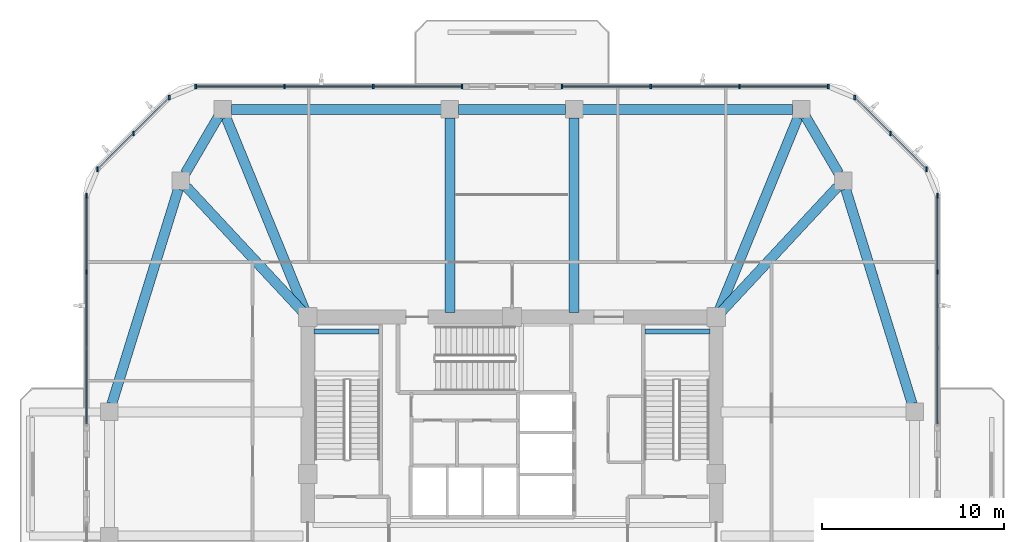
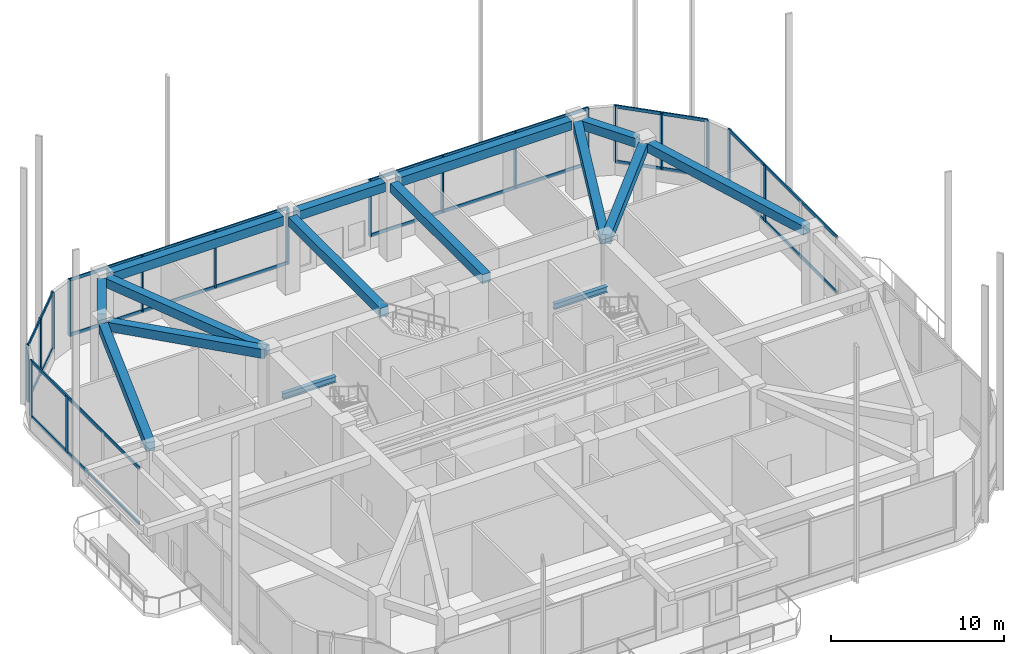
# One storey, part 4 of 12: 30 members, 15 beams, 6 elements without a shape of their own.
"""IFC4 building model written with IfcOpenShell, lengths in metres."""

import ifcopenshell
import ifcopenshell.guid

model = None  # the IFC model being written
_history = None  # IfcOwnerHistory: only IFC2X3 demands one
_inside = {}  # id of a spatial element -> (the spatial element, [elements in it])
_under = {}  # id of a project, library or spatial element -> (it, [spatial elements below it])
_declared = {}  # id of a project -> (the project, [libraries it declares])
_typed = {}  # id of a type object -> (the type object, [elements of that type])
_made_of = {}  # id of a material, layer set ... -> (it, [elements and type objects made of it])


def new_model(schema):
    """Start an empty IFC model of exactly this schema.

    Asked for "IFC4X3", IfcOpenShell would pick the latest addendum, in which some entities
    have other attributes; the version numbers below select the first issue.
    IFC2X3 requires an IfcOwnerHistory on every rooted entity: one is made here for all.
    """
    global model, _history
    if schema == "IFC4X3":
        model = ifcopenshell.file(schema_version=(4, 3, 0, 0))
    else:
        model = ifcopenshell.file(schema=schema)
    _inside.clear()
    _under.clear()
    _declared.clear()
    _typed.clear()
    _made_of.clear()
    _history = None
    if model.schema == "IFC2X3":
        org = make("IfcOrganization", Name="unknown")
        user = make(
            "IfcPersonAndOrganization",
            ThePerson=make("IfcPerson", FamilyName="unknown"),
            TheOrganization=org,
        )
        app = make(
            "IfcApplication",
            ApplicationDeveloper=org,
            Version="unknown",
            ApplicationFullName="unknown",
            ApplicationIdentifier="unknown",
        )
        _history = make(
            "IfcOwnerHistory",
            OwningUser=user,
            OwningApplication=app,
            ChangeAction="ADDED",
            CreationDate=0,
        )
    return model


def make(cls, **values):
    """One entity of the class cls with the attributes given. An attribute that is None is left unset."""
    return model.create_entity(
        cls, **{name: value for name, value in values.items() if value is not None}
    )


def rooted(cls, **values):
    """An entity with a GlobalId (a new one), such as an element, a storey or a relation."""
    return make(cls, GlobalId=ifcopenshell.guid.new(), OwnerHistory=_history, **values)


def si_unit(unit_type, name, prefix=None):
    """IfcSIUnit, for example si_unit("LENGTHUNIT", "METRE", prefix="MILLI")."""
    return make("IfcSIUnit", UnitType=unit_type, Prefix=prefix, Name=name)


def derived_unit(unit_type, elements):
    """IfcDerivedUnit: a product of units, each with its exponent."""
    return make(
        "IfcDerivedUnit",
        Elements=[
            make("IfcDerivedUnitElement", Unit=unit, Exponent=power)
            for unit, power in elements
        ],
        UnitType=unit_type,
    )


def assignment(units):
    """IfcUnitAssignment: the units of a project."""
    return None if units is None else make("IfcUnitAssignment", Units=units)


def point(xyz):
    """IfcCartesianPoint."""
    return None if xyz is None else make("IfcCartesianPoint", Coordinates=xyz)


def direction(xyz):
    """IfcDirection."""
    return None if xyz is None else make("IfcDirection", DirectionRatios=xyz)


def frame(location, z_axis=None, x_axis=None):
    """IfcAxis2Placement3D, a coordinate frame: its origin and axes. An axis left out is left unset."""
    return make(
        "IfcAxis2Placement3D",
        Location=point(location),
        Axis=direction(z_axis),
        RefDirection=direction(x_axis),
    )


def frame_2d(location, x_axis=None):
    """IfcAxis2Placement2D, a coordinate frame in the plane: its origin and x axis."""
    return make(
        "IfcAxis2Placement2D", Location=point(location), RefDirection=direction(x_axis)
    )


def origin():
    """The frame at (0, 0, 0) with its axes left unset."""
    return frame((0.0, 0.0, 0.0))


def origin_2d():
    """The frame at (0, 0) in the plane with its x axis left unset."""
    return frame_2d((0.0, 0.0))


def place(relative_to, where):
    """IfcLocalPlacement: puts the frame where relative to a parent placement (None: the world)."""
    return make(
        "IfcLocalPlacement", PlacementRelTo=relative_to, RelativePlacement=where
    )


def context(
    kind, dimensions, precision=None, world=None, true_north=None, identifier=None
):
    """IfcGeometricRepresentationContext, for example the 3D "Model" context."""
    return make(
        "IfcGeometricRepresentationContext",
        ContextIdentifier=identifier,
        ContextType=kind,
        CoordinateSpaceDimension=dimensions,
        Precision=precision,
        WorldCoordinateSystem=world,
        TrueNorth=true_north,
    )


def subcontext(parent, identifier, kind, view, scale=None):
    """IfcGeometricRepresentationSubContext, for example "Body" below "Model"."""
    return make(
        "IfcGeometricRepresentationSubContext",
        ContextIdentifier=identifier,
        ContextType=kind,
        ParentContext=parent,
        TargetScale=scale,
        TargetView=view,
    )


def project(units=None, contexts=None):
    """IfcProject with its units and contexts."""
    return rooted(
        "IfcProject",
        Name="project",
        RepresentationContexts=contexts,
        UnitsInContext=assignment(units),
    )


def spatial(cls, under=None, at=None, **own):
    """A site, building, storey or space (cls), placed at a placement, below another one or the project."""
    s = rooted(cls, ObjectPlacement=at, **own)
    if under is not None:
        _under.setdefault(under.id(), (under, []))[1].append(s)
    return s


def profile(cls, at=None, kind="AREA", **sizes):
    """A parametric profile (cls). Its sizes go by their IFC names, for example OverallWidth=200.0."""
    return make(cls, ProfileType=kind, Position=at, **sizes)


def rectangle(**sizes):
    """IfcRectangleProfileDef."""
    return profile("IfcRectangleProfileDef", **sizes)


def i_section(**sizes):
    """IfcIShapeProfileDef."""
    return profile("IfcIShapeProfileDef", **sizes)


def extrude(swept, where, along, depth):
    """IfcExtrudedAreaSolid: the profile swept, set in the frame where, extruded along a direction by depth."""
    return make(
        "IfcExtrudedAreaSolid",
        SweptArea=swept,
        Position=where,
        ExtrudedDirection=direction(along),
        Depth=depth,
    )


def shape(context_of_items, identifier, shape_type, items):
    """IfcShapeRepresentation: the items that make up one representation, for example the "Body"."""
    return make(
        "IfcShapeRepresentation",
        ContextOfItems=context_of_items,
        RepresentationIdentifier=identifier,
        RepresentationType=shape_type,
        Items=items,
    )


def material(Name=None, Category=None):
    """IfcMaterial."""
    return make("IfcMaterial", Name=Name, Category=Category)


def material_profile(
    of_material, cross_section, Name=None, Category=None, Priority=None
):
    """IfcMaterialProfile: a cross section and its material."""
    return make(
        "IfcMaterialProfile",
        Name=Name,
        Material=of_material,
        Profile=cross_section,
        Priority=Priority,
        Category=Category,
    )


def profile_set(profiles, Name=None, composite=None):
    """IfcMaterialProfileSet."""
    return make(
        "IfcMaterialProfileSet",
        Name=Name,
        MaterialProfiles=profiles,
        CompositeProfile=composite,
    )


def made_of(thing, what):
    """Note that an element or type object is made of a material, layer set ...; save() writes the relation."""
    if what is not None:
        _made_of.setdefault(what.id(), (what, []))[1].append(thing)
    return thing


def type_object(cls, material=None, **own):
    """A type object (cls), such as IfcWallType, which elements share."""
    return made_of(rooted(cls, **own), material)


def element(
    cls,
    number,
    at=None,
    inside=None,
    cuts=None,
    type_object=None,
    material=None,
    context=None,
    identifier="Body",
    shape_type=None,
    held_by="IfcProductDefinitionShape",
    body=None,
    shapes=None,
    **own,
):
    """One element of the class cls, such as IfcWall. Its Tag is "e" and its number.

    at: its placement. inside: the storey or other place that contains it. cuts: it is an
    opening in that element (IfcRelVoidsElement). A single representation is given by context,
    identifier, shape_type and body (its items); several are given by shapes. held_by: the class
    of the entity that holds the representations. save() writes the other relations.
    """
    e = rooted(cls, Tag="e%d" % number, ObjectPlacement=at, **own)
    if body is not None:
        shapes = [shape(context, identifier, shape_type, body)]
    if shapes is not None:
        e.Representation = make(held_by, Representations=shapes)
    if inside is not None:
        _inside.setdefault(inside.id(), (inside, []))[1].append(e)
    if cuts is not None:
        rooted(
            "IfcRelVoidsElement", RelatingBuildingElement=cuts, RelatedOpeningElement=e
        )
    if type_object is not None:
        _typed.setdefault(type_object.id(), (type_object, []))[1].append(e)
    return made_of(e, material)


def aggregate(whole, parts):
    """IfcRelAggregates: a whole, such as a stair, and the parts it consists of."""
    return rooted("IfcRelAggregates", RelatingObject=whole, RelatedObjects=parts)


def save(model, path):
    """Write the relations noted so far, then the file.

    IfcRelAggregates (storeys below a building ...), IfcRelContainedInSpatialStructure (elements
    in a storey), IfcRelDefinesByType, IfcRelAssociatesMaterial and IfcRelDeclares: one each for
    every whole, place, type object, material and project.
    """
    for whole, parts in _under.values():
        aggregate(whole, parts)
    for where, things in _inside.values():
        rooted(
            "IfcRelContainedInSpatialStructure",
            RelatedElements=things,
            RelatingStructure=where,
        )
    for kind, things in _typed.values():
        rooted("IfcRelDefinesByType", RelatedObjects=things, RelatingType=kind)
    for what, things in _made_of.values():
        rooted("IfcRelAssociatesMaterial", RelatedObjects=things, RelatingMaterial=what)
    for by, libraries in _declared.values():
        rooted("IfcRelDeclares", RelatingContext=by, RelatedDefinitions=libraries)
    model.write(path)


model = new_model("IFC4")

# Units and contexts
model_context = context("Model", 3, precision=1e-05, world=origin(), true_north=direction((0.0, 1.0)))
body_context = subcontext(model_context, "Body", "Model", "MODEL_VIEW")
ifc_project = project(units=[si_unit("LENGTHUNIT", "METRE"), si_unit("AREAUNIT", "SQUARE_METRE"), si_unit("VOLUMEUNIT", "CUBIC_METRE"), si_unit("PLANEANGLEUNIT", "RADIAN"), si_unit("MASSUNIT", "GRAM", prefix="KILO"), derived_unit("THERMALTRANSMITTANCEUNIT", [(si_unit("POWERUNIT", "WATT"), 1), (si_unit("LENGTHUNIT", "METRE"), -2), (si_unit("THERMODYNAMICTEMPERATUREUNIT", "KELVIN"), -1)])], contexts=[model_context])

# Site, building, storey
site_placement = place(None, origin())
site = spatial("IfcSite", under=ifc_project, at=site_placement, CompositionType="ELEMENT")
building_placement = place(site_placement, origin())
building = spatial("IfcBuilding", under=site, at=building_placement, Name="Koralith Skygarden Medical Center", CompositionType="ELEMENT")
storey_placement = place(building_placement, frame((0.0, 0.0, 129.06005859375)))
storey = spatial("IfcBuildingStorey", under=building, at=storey_placement, Name="L33", CompositionType="ELEMENT", Elevation=129.06005859375)

# Curtain wall, members
ifc_material_1 = material(Name="Clear Laminated Glass", Category="glass")
curtain_wall_type = type_object("IfcCurtainWallType", Name="CW-7 Sky-Garden & Pool Conservatory Wall", PredefinedType="NOTDEFINED", material=ifc_material_1)
curtain_wall_1_placement = place(storey_placement, origin())
curtain_wall_1 = element("IfcCurtainWall", 1, at=curtain_wall_1_placement, inside=storey, type_object=curtain_wall_type, Name="Curtain Wall CW-L33-E-R", PredefinedType="NOTDEFINED")
ifc_material_2 = material(Name="Aluminium 6063-T6", Category="aluminium")
ifc_material_profile_1 = material_profile(ifc_material_2, rectangle(XDim=0.0859375, YDim=0.25, at=origin_2d()), Name="MUL86X250")
ifc_profile_set_1 = profile_set([ifc_material_profile_1], Name="Aluminium 6063-T6")
member_type_1 = type_object("IfcMemberType", Name="CW-7 Extruded Mullion 86x250", PredefinedType="MULLION", material=ifc_profile_set_1)
member_1_placement = place(storey_placement, frame((60.303955078125, 36.97607421875, 0.849853515625), z_axis=(0.0, 0.0, 1.0), x_axis=(1.0, 0.0, 0.0)))
member_1 = element("IfcMember", 2, at=member_1_placement, type_object=member_type_1, Name="CW-L33-E-R Mullion 3", PredefinedType="MULLION", context=body_context, shape_type="SweptSolid", body=[
    extrude(rectangle(XDim=0.0859375, YDim=0.25, at=origin_2d()), origin(), (0.0, 0.0, 1.0), 3.97998046875),
])
member_2_placement = place(storey_placement, frame((60.303955078125, 41.14501953125, 0.849853515625), z_axis=(0.0, 0.0, 1.0), x_axis=(1.0, 0.0, 0.0)))
member_2 = element("IfcMember", 3, at=member_2_placement, type_object=member_type_1, Name="CW-L33-E-R Mullion 4", PredefinedType="MULLION", context=body_context, shape_type="SweptSolid", body=[
    extrude(rectangle(XDim=0.0859375, YDim=0.25, at=origin_2d()), origin(), (0.0, 0.0, 1.0), 3.97998046875),
])

curtain_wall_2_placement = place(storey_placement, origin())
curtain_wall_2 = element("IfcCurtainWall", 4, at=curtain_wall_2_placement, inside=storey, type_object=curtain_wall_type, Name="Curtain Wall CW-L33-NE", PredefinedType="NOTDEFINED")
member_3_placement = place(storey_placement, frame((59.702880859375, 42.595947265625, 0.849853515625), z_axis=(0.0, 0.0, 1.0), x_axis=(1.0, 0.0, 0.0)))
member_3 = element("IfcMember", 5, at=member_3_placement, type_object=member_type_1, Name="CW-L33-NE Mullion 1", PredefinedType="MULLION", context=body_context, shape_type="SweptSolid", body=[
    extrude(rectangle(XDim=0.0859375, YDim=0.25, at=origin_2d()), origin(), (0.0, 0.0, 1.0), 3.97998046875),
])
member_4_placement = place(storey_placement, frame((57.741943359375, 44.556884765625, 0.849853515625), z_axis=(0.0, 0.0, 1.0), x_axis=(1.0, 0.0, 0.0)))
member_4 = element("IfcMember", 6, at=member_4_placement, type_object=member_type_1, Name="CW-L33-NE Mullion 2", PredefinedType="MULLION", context=body_context, shape_type="SweptSolid", body=[
    extrude(rectangle(XDim=0.0859375, YDim=0.25, at=origin_2d()), origin(), (0.0, 0.0, 1.0), 3.97998046875),
])
member_5_placement = place(storey_placement, frame((55.780029296875, 46.51904296875, 0.849853515625), z_axis=(0.0, 0.0, 1.0), x_axis=(1.0, 0.0, 0.0)))
member_5 = element("IfcMember", 7, at=member_5_placement, type_object=member_type_1, Name="CW-L33-NE Mullion 3", PredefinedType="MULLION", context=body_context, shape_type="SweptSolid", body=[
    extrude(rectangle(XDim=0.0859375, YDim=0.25, at=origin_2d()), origin(), (0.0, 0.0, 1.0), 3.97998046875),
])

curtain_wall_3_placement = place(storey_placement, origin())
curtain_wall_3 = element("IfcCurtainWall", 8, at=curtain_wall_3_placement, inside=storey, type_object=curtain_wall_type, Name="Curtain Wall CW-L33-N-L", PredefinedType="NOTDEFINED")
member_6_placement = place(storey_placement, frame((54.3291015625, 47.1201171875, 0.849853515625), z_axis=(0.0, 0.0, 1.0), x_axis=(1.0, 0.0, 0.0)))
member_6 = element("IfcMember", 9, at=member_6_placement, type_object=member_type_1, Name="CW-L33-N-L Mullion 1", PredefinedType="MULLION", context=body_context, shape_type="SweptSolid", body=[
    extrude(rectangle(XDim=0.0859375, YDim=0.25, at=origin_2d()), origin(), (0.0, 0.0, 1.0), 3.97998046875),
])
member_7_placement = place(storey_placement, frame((49.466064453125, 47.1201171875, 0.849853515625), z_axis=(0.0, 0.0, 1.0), x_axis=(1.0, 0.0, 0.0)))
member_7 = element("IfcMember", 10, at=member_7_placement, type_object=member_type_1, Name="CW-L33-N-L Mullion 2", PredefinedType="MULLION", context=body_context, shape_type="SweptSolid", body=[
    extrude(rectangle(XDim=0.0859375, YDim=0.25, at=origin_2d()), origin(), (0.0, 0.0, 1.0), 3.97998046875),
])
member_8_placement = place(storey_placement, frame((44.60400390625, 47.1201171875, 0.849853515625), z_axis=(0.0, 0.0, 1.0), x_axis=(1.0, 0.0, 0.0)))
member_8 = element("IfcMember", 11, at=member_8_placement, type_object=member_type_1, Name="CW-L33-N-L Mullion 3", PredefinedType="MULLION", context=body_context, shape_type="SweptSolid", body=[
    extrude(rectangle(XDim=0.0859375, YDim=0.25, at=origin_2d()), origin(), (0.0, 0.0, 1.0), 3.97998046875),
])
member_9_placement = place(storey_placement, frame((39.740966796875, 47.1201171875, 0.849853515625), z_axis=(0.0, 0.0, 1.0), x_axis=(1.0, 0.0, 0.0)))
member_9 = element("IfcMember", 12, at=member_9_placement, type_object=member_type_1, Name="CW-L33-N-L Mullion 4", PredefinedType="MULLION", context=body_context, shape_type="SweptSolid", body=[
    extrude(rectangle(XDim=0.0859375, YDim=0.25, at=origin_2d()), origin(), (0.0, 0.0, 1.0), 3.97998046875),
])

curtain_wall_4_placement = place(storey_placement, origin())
curtain_wall_4 = element("IfcCurtainWall", 13, at=curtain_wall_4_placement, inside=storey, type_object=curtain_wall_type, Name="Curtain Wall CW-L33-N-R", PredefinedType="NOTDEFINED")
member_10_placement = place(storey_placement, frame((34.260986328125, 47.1201171875, 0.849853515625), z_axis=(0.0, 0.0, 1.0), x_axis=(1.0, 0.0, 0.0)))
member_10 = element("IfcMember", 14, at=member_10_placement, type_object=member_type_1, Name="CW-L33-N-R Mullion 1", PredefinedType="MULLION", context=body_context, shape_type="SweptSolid", body=[
    extrude(rectangle(XDim=0.0859375, YDim=0.25, at=origin_2d()), origin(), (0.0, 0.0, 1.0), 3.97998046875),
])
member_11_placement = place(storey_placement, frame((29.39794921875, 47.1201171875, 0.849853515625), z_axis=(0.0, 0.0, 1.0), x_axis=(1.0, 0.0, 0.0)))
member_11 = element("IfcMember", 15, at=member_11_placement, type_object=member_type_1, Name="CW-L33-N-R Mullion 2", PredefinedType="MULLION", context=body_context, shape_type="SweptSolid", body=[
    extrude(rectangle(XDim=0.0859375, YDim=0.25, at=origin_2d()), origin(), (0.0, 0.0, 1.0), 3.97998046875),
])
member_12_placement = place(storey_placement, frame((24.533935546875, 47.1201171875, 0.849853515625), z_axis=(0.0, 0.0, 1.0), x_axis=(1.0, 0.0, 0.0)))
member_12 = element("IfcMember", 16, at=member_12_placement, type_object=member_type_1, Name="CW-L33-N-R Mullion 3", PredefinedType="MULLION", context=body_context, shape_type="SweptSolid", body=[
    extrude(rectangle(XDim=0.0859375, YDim=0.25, at=origin_2d()), origin(), (0.0, 0.0, 1.0), 3.97998046875),
])
member_13_placement = place(storey_placement, frame((19.6708984375, 47.1201171875, 0.849853515625), z_axis=(0.0, 0.0, 1.0), x_axis=(1.0, 0.0, 0.0)))
member_13 = element("IfcMember", 17, at=member_13_placement, type_object=member_type_1, Name="CW-L33-N-R Mullion 4", PredefinedType="MULLION", context=body_context, shape_type="SweptSolid", body=[
    extrude(rectangle(XDim=0.0859375, YDim=0.25, at=origin_2d()), origin(), (0.0, 0.0, 1.0), 3.97998046875),
])

curtain_wall_5_placement = place(storey_placement, origin())
curtain_wall_5 = element("IfcCurtainWall", 18, at=curtain_wall_5_placement, inside=storey, type_object=curtain_wall_type, Name="Curtain Wall CW-L33-NW", PredefinedType="NOTDEFINED")
member_14_placement = place(storey_placement, frame((18.219970703125, 46.51904296875, 0.849853515625), z_axis=(0.0, 0.0, 1.0), x_axis=(1.0, 0.0, 0.0)))
member_14 = element("IfcMember", 19, at=member_14_placement, type_object=member_type_1, Name="CW-L33-NW Mullion 1", PredefinedType="MULLION", context=body_context, shape_type="SweptSolid", body=[
    extrude(rectangle(XDim=0.0859375, YDim=0.25, at=origin_2d()), origin(), (0.0, 0.0, 1.0), 3.97998046875),
])
member_15_placement = place(storey_placement, frame((16.258056640625, 44.556884765625, 0.849853515625), z_axis=(0.0, 0.0, 1.0), x_axis=(1.0, 0.0, 0.0)))
member_15 = element("IfcMember", 20, at=member_15_placement, type_object=member_type_1, Name="CW-L33-NW Mullion 2", PredefinedType="MULLION", context=body_context, shape_type="SweptSolid", body=[
    extrude(rectangle(XDim=0.0859375, YDim=0.25, at=origin_2d()), origin(), (0.0, 0.0, 1.0), 3.97998046875),
])
member_16_placement = place(storey_placement, frame((14.297119140625, 42.595947265625, 0.849853515625), z_axis=(0.0, 0.0, 1.0), x_axis=(1.0, 0.0, 0.0)))
member_16 = element("IfcMember", 21, at=member_16_placement, type_object=member_type_1, Name="CW-L33-NW Mullion 3", PredefinedType="MULLION", context=body_context, shape_type="SweptSolid", body=[
    extrude(rectangle(XDim=0.0859375, YDim=0.25, at=origin_2d()), origin(), (0.0, 0.0, 1.0), 3.97998046875),
])

curtain_wall_6_placement = place(storey_placement, origin())
curtain_wall_6 = element("IfcCurtainWall", 22, at=curtain_wall_6_placement, inside=storey, type_object=curtain_wall_type, Name="Curtain Wall CW-L33-W-L", PredefinedType="NOTDEFINED")
member_17_placement = place(storey_placement, frame((13.696044921875, 41.14501953125, 0.849853515625), z_axis=(0.0, 0.0, 1.0), x_axis=(1.0, 0.0, 0.0)))
member_17 = element("IfcMember", 23, at=member_17_placement, type_object=member_type_1, Name="CW-L33-W-L Mullion 1", PredefinedType="MULLION", context=body_context, shape_type="SweptSolid", body=[
    extrude(rectangle(XDim=0.0859375, YDim=0.25, at=origin_2d()), origin(), (0.0, 0.0, 1.0), 3.97998046875),
])
member_18_placement = place(storey_placement, frame((13.696044921875, 36.97705078125, 0.849853515625), z_axis=(0.0, 0.0, 1.0), x_axis=(1.0, 0.0, 0.0)))
member_18 = element("IfcMember", 24, at=member_18_placement, type_object=member_type_1, Name="CW-L33-W-L Mullion 2", PredefinedType="MULLION", context=body_context, shape_type="SweptSolid", body=[
    extrude(rectangle(XDim=0.0859375, YDim=0.25, at=origin_2d()), origin(), (0.0, 0.0, 1.0), 3.97998046875),
])

# Member
ifc_material_profile_2 = material_profile(ifc_material_2, rectangle(XDim=0.0810546875, YDim=0.22509765625, at=origin_2d()), Name="TRN81X225")
ifc_profile_set_2 = profile_set([ifc_material_profile_2], Name="Aluminium 6063-T6")
member_type_2 = type_object("IfcMemberType", Name="CW-7 Thermal Transom 81x225", PredefinedType="USERDEFINED", material=ifc_profile_set_2)
member_19_placement = place(storey_placement, frame((60.303955078125, 28.638916015625, 0.89990234375), z_axis=(0.0, 1.0, 0.0), x_axis=(-1.0, 0.0, 0.0)))
member_19 = element("IfcMember", 25, at=member_19_placement, type_object=member_type_2, Name="CW-L33-E-R Transom 1", ObjectType="TRANSOM", PredefinedType="USERDEFINED", context=body_context, shape_type="SweptSolid", body=[
    extrude(rectangle(XDim=0.0810546875, YDim=0.22509765625, at=origin_2d()), origin(), (0.0, 0.0, 1.0), 12.506103515625),
])

member_20_placement = place(storey_placement, frame((60.303955078125, 28.638916015625, 4.780029296875), z_axis=(0.0, 1.0, 0.0), x_axis=(-1.0, 0.0, 0.0)))
member_20 = element("IfcMember", 26, at=member_20_placement, type_object=member_type_2, Name="CW-L33-E-R Transom 2", ObjectType="TRANSOM", PredefinedType="USERDEFINED", context=body_context, shape_type="SweptSolid", body=[
    extrude(rectangle(XDim=0.0810546875, YDim=0.22509765625, at=origin_2d()), origin(), (0.0, 0.0, 1.0), 12.506103515625),
])

aggregate(curtain_wall_1, [member_1, member_2, member_19, member_20])

member_21_placement = place(storey_placement, frame((59.702880859375, 42.595947265625, 0.89990234375), z_axis=(-0.707084777957, 0.707128783731, 0.0), x_axis=(-0.707128783731, -0.707084777957, 0.0)))
member_21 = element("IfcMember", 27, at=member_21_placement, type_object=member_type_2, Name="CW-L33-NE Transom 1", ObjectType="TRANSOM", PredefinedType="USERDEFINED", context=body_context, shape_type="SweptSolid", body=[
    extrude(rectangle(XDim=0.0810546875, YDim=0.22509765625, at=origin_2d()), origin(), (0.0, 0.0, 1.0), 5.5478515625),
])

member_22_placement = place(storey_placement, frame((59.702880859375, 42.595947265625, 4.780029296875), z_axis=(-0.707084777957, 0.707128783731, 0.0), x_axis=(-0.707128783731, -0.707084777957, 0.0)))
member_22 = element("IfcMember", 28, at=member_22_placement, type_object=member_type_2, Name="CW-L33-NE Transom 2", ObjectType="TRANSOM", PredefinedType="USERDEFINED", context=body_context, shape_type="SweptSolid", body=[
    extrude(rectangle(XDim=0.0810546875, YDim=0.22509765625, at=origin_2d()), origin(), (0.0, 0.0, 1.0), 5.5478515625),
])

aggregate(curtain_wall_2, [member_3, member_4, member_5, member_21, member_22])

member_23_placement = place(storey_placement, frame((54.3291015625, 47.1201171875, 0.89990234375), z_axis=(-1.0, 0.0, 0.0), x_axis=(0.0, -1.0, 0.0)))
member_23 = element("IfcMember", 29, at=member_23_placement, type_object=member_type_2, Name="CW-L33-N-L Transom 1", ObjectType="TRANSOM", PredefinedType="USERDEFINED", context=body_context, shape_type="SweptSolid", body=[
    extrude(rectangle(XDim=0.0810546875, YDim=0.22509765625, at=origin_2d()), origin(), (0.0, 0.0, 1.0), 14.588134765625),
])

member_24_placement = place(storey_placement, frame((54.3291015625, 47.1201171875, 4.780029296875), z_axis=(-1.0, 0.0, 0.0), x_axis=(0.0, -1.0, 0.0)))
member_24 = element("IfcMember", 30, at=member_24_placement, type_object=member_type_2, Name="CW-L33-N-L Transom 2", ObjectType="TRANSOM", PredefinedType="USERDEFINED", context=body_context, shape_type="SweptSolid", body=[
    extrude(rectangle(XDim=0.0810546875, YDim=0.22509765625, at=origin_2d()), origin(), (0.0, 0.0, 1.0), 14.588134765625),
])

aggregate(curtain_wall_3, [member_6, member_7, member_8, member_9, member_23, member_24])

member_25_placement = place(storey_placement, frame((34.260986328125, 47.1201171875, 0.89990234375), z_axis=(-1.0, 0.0, 0.0), x_axis=(0.0, -1.0, 0.0)))
member_25 = element("IfcMember", 31, at=member_25_placement, type_object=member_type_2, Name="CW-L33-N-R Transom 1", ObjectType="TRANSOM", PredefinedType="USERDEFINED", context=body_context, shape_type="SweptSolid", body=[
    extrude(rectangle(XDim=0.0810546875, YDim=0.22509765625, at=origin_2d()), origin(), (0.0, 0.0, 1.0), 14.590087890625),
])

member_26_placement = place(storey_placement, frame((34.260986328125, 47.1201171875, 4.780029296875), z_axis=(-1.0, 0.0, 0.0), x_axis=(0.0, -1.0, 0.0)))
member_26 = element("IfcMember", 32, at=member_26_placement, type_object=member_type_2, Name="CW-L33-N-R Transom 2", ObjectType="TRANSOM", PredefinedType="USERDEFINED", context=body_context, shape_type="SweptSolid", body=[
    extrude(rectangle(XDim=0.0810546875, YDim=0.22509765625, at=origin_2d()), origin(), (0.0, 0.0, 1.0), 14.590087890625),
])

aggregate(curtain_wall_4, [member_10, member_11, member_12, member_13, member_25, member_26])

member_27_placement = place(storey_placement, frame((18.219970703125, 46.51904296875, 0.89990234375), z_axis=(-0.707084777957, -0.707128783731, 0.0), x_axis=(0.707128783731, -0.707084777957, 0.0)))
member_27 = element("IfcMember", 33, at=member_27_placement, type_object=member_type_2, Name="CW-L33-NW Transom 1", ObjectType="TRANSOM", PredefinedType="USERDEFINED", context=body_context, shape_type="SweptSolid", body=[
    extrude(rectangle(XDim=0.0810546875, YDim=0.22509765625, at=origin_2d()), origin(), (0.0, 0.0, 1.0), 5.5478515625),
])

member_28_placement = place(storey_placement, frame((18.219970703125, 46.51904296875, 4.780029296875), z_axis=(-0.707084777957, -0.707128783731, 0.0), x_axis=(0.707128783731, -0.707084777957, 0.0)))
member_28 = element("IfcMember", 34, at=member_28_placement, type_object=member_type_2, Name="CW-L33-NW Transom 2", ObjectType="TRANSOM", PredefinedType="USERDEFINED", context=body_context, shape_type="SweptSolid", body=[
    extrude(rectangle(XDim=0.0810546875, YDim=0.22509765625, at=origin_2d()), origin(), (0.0, 0.0, 1.0), 5.5478515625),
])

aggregate(curtain_wall_5, [member_14, member_15, member_16, member_27, member_28])

member_29_placement = place(storey_placement, frame((13.696044921875, 41.14501953125, 0.89990234375), z_axis=(0.0, -1.0, 0.0), x_axis=(1.0, 0.0, 0.0)))
member_29 = element("IfcMember", 35, at=member_29_placement, type_object=member_type_2, Name="CW-L33-W-L Transom 1", ObjectType="TRANSOM", PredefinedType="USERDEFINED", context=body_context, shape_type="SweptSolid", body=[
    extrude(rectangle(XDim=0.0810546875, YDim=0.22509765625, at=origin_2d()), origin(), (0.0, 0.0, 1.0), 12.50390625),
])

member_30_placement = place(storey_placement, frame((13.696044921875, 41.14501953125, 4.780029296875), z_axis=(0.0, -1.0, 0.0), x_axis=(1.0, 0.0, 0.0)))
member_30 = element("IfcMember", 36, at=member_30_placement, type_object=member_type_2, Name="CW-L33-W-L Transom 2", ObjectType="TRANSOM", PredefinedType="USERDEFINED", context=body_context, shape_type="SweptSolid", body=[
    extrude(rectangle(XDim=0.0810546875, YDim=0.22509765625, at=origin_2d()), origin(), (0.0, 0.0, 1.0), 12.50390625),
])

aggregate(curtain_wall_6, [member_17, member_18, member_29, member_30])

# Beams
ifc_material_3 = material(Name="Steel ASTM A992 Grade 50", Category="steel")
ifc_material_profile_3 = material_profile(ifc_material_3, i_section(OverallWidth=0.260009765625, OverallDepth=0.4150390625, WebThickness=0.010009765625, FlangeThickness=0.016845703125, at=origin_2d()), Name="W16X67")
ifc_profile_set_3 = profile_set([ifc_material_profile_3], Name="Steel ASTM A992 Grade 50")
beam_type_1 = type_object("IfcBeamType", Name="Clinical Floor Joist W16X67", PredefinedType="JOIST", material=ifc_profile_set_3)
for number, where, z_axis, x_axis, name in (
    (37, (26.155029296875, 33.699951171875, 2.471923828125), (1.0, 0.0, 0.0), (0.0, 1.0, 0.0), "L33 Stair ST1 Half-Landing Support Beam 1B"),
    (38, (44.280029296875, 33.699951171875, 2.471923828125), (1.0, 0.0, 0.0), (0.0, 1.0, 0.0), "L33 Stair ST2 Half-Landing Support Beam 1B"),
):
    element("IfcBeam", number, at=place(storey_placement, frame(where, z_axis=z_axis, x_axis=x_axis)), inside=storey, type_object=beam_type_1, Name=name, PredefinedType="JOIST", context=body_context, shape_type="SweptSolid", body=[
        extrude(i_section(OverallWidth=0.260009765625, OverallDepth=0.4150390625, WebThickness=0.010009765625, FlangeThickness=0.016845703125, at=origin_2d()), origin(), (0.0, 0.0, 1.0), 3.56494140625),
    ])
ifc_material_4 = material(Name="Concrete C45/55", Category="concrete")
ifc_material_profile_4 = material_profile(ifc_material_4, rectangle(XDim=0.550048828125, YDim=0.639892578125, at=origin_2d()), Name="RCB550X640")
ifc_profile_set_4 = profile_set([ifc_material_profile_4], Name="Concrete C45/55")
beam_type_2 = type_object("IfcBeamType", Name="Radial Collector Beam RCB550X640", PredefinedType="BEAM", material=ifc_profile_set_4)
beam_1_placement = place(storey_placement, frame((48.3701171875, 34.68310546875, 5.159912109375), z_axis=(0.681369011591, 0.731940072713, 0.0), x_axis=(-0.731940072713, 0.681369011591, 0.0)))
element("IfcBeam", 39, at=beam_1_placement, inside=storey, type_object=beam_type_2, Name="L33 Radial Collector Beam RB-10", PredefinedType="BEAM", context=body_context, shape_type="SweptSolid", body=[
    extrude(rectangle(XDim=0.550048828125, YDim=0.639892578125, at=origin_2d()), origin(), (0.0, 0.0, 1.0), 9.471923828125),
])
beam_2_placement = place(storey_placement, frame((48.294921875, 34.73095703125, 5.159912109375), z_axis=(0.378344544364, 0.92566484526, 0.0), x_axis=(-0.92566484526, 0.378344544364, 0.0)))
element("IfcBeam", 40, at=beam_2_placement, inside=storey, type_object=beam_type_2, Name="L33 Radial Collector Beam RB-11", PredefinedType="BEAM", context=body_context, shape_type="SweptSolid", body=[
    extrude(rectangle(XDim=0.550048828125, YDim=0.639892578125, at=origin_2d()), origin(), (0.0, 0.0, 1.0), 11.574462890625),
])
for number, where, z_axis, x_axis, name in (
    (41, (40.39990234375, 34.75, 5.159912109375), (0.0, 1.0, 0.0), (-1.0, 0.0, 0.0), "L33 Radial Collector Beam RB-12"),
    (42, (33.60009765625, 34.75, 5.159912109375), (0.0, 1.0, 0.0), (-1.0, 0.0, 0.0), "L33 Radial Collector Beam RB-13"),
):
    element("IfcBeam", number, at=place(storey_placement, frame(where, z_axis=z_axis, x_axis=x_axis)), inside=storey, type_object=beam_type_2, Name=name, PredefinedType="BEAM", context=body_context, shape_type="SweptSolid", body=[
        extrude(rectangle(XDim=0.550048828125, YDim=0.639892578125, at=origin_2d()), origin(), (0.0, 0.0, 1.0), 10.659912109375),
    ])
beam_3_placement = place(storey_placement, frame((25.705078125, 34.73095703125, 5.159912109375), z_axis=(-0.378344544364, 0.92566484526, 0.0), x_axis=(-0.92566484526, -0.378344544364, 0.0)))
element("IfcBeam", 43, at=beam_3_placement, inside=storey, type_object=beam_type_2, Name="L33 Radial Collector Beam RB-14", PredefinedType="BEAM", context=body_context, shape_type="SweptSolid", body=[
    extrude(rectangle(XDim=0.550048828125, YDim=0.639892578125, at=origin_2d()), origin(), (0.0, 0.0, 1.0), 11.574462890625),
])
beam_4_placement = place(storey_placement, frame((25.6298828125, 34.68310546875, 5.159912109375), z_axis=(-0.681369011591, 0.731940072713, 0.0), x_axis=(-0.731940072713, -0.681369011591, 0.0)))
element("IfcBeam", 44, at=beam_4_placement, inside=storey, type_object=beam_type_2, Name="L33 Radial Collector Beam RB-15", PredefinedType="BEAM", context=body_context, shape_type="SweptSolid", body=[
    extrude(rectangle(XDim=0.550048828125, YDim=0.639892578125, at=origin_2d()), origin(), (0.0, 0.0, 1.0), 9.471923828125),
])
ifc_material_profile_5 = material_profile(ifc_material_4, rectangle(XDim=0.550048828125, YDim=0.639892578125, at=origin_2d()), Name="RCB550X640")
ifc_profile_set_5 = profile_set([ifc_material_profile_5], Name="Concrete C45/55")
beam_type_3 = type_object("IfcBeamType", Name="Zone 2-3 Spandrel Beam RCB550X640", PredefinedType="SPANDREL", material=ifc_profile_set_5)
beam_5_placement = place(storey_placement, frame((58.925048828125, 29.7490234375, 5.159912109375), z_axis=(-0.295793585147, 0.955251880389, 0.0), x_axis=(-0.955251880389, -0.295793585147, 0.0)))
element("IfcBeam", 45, at=beam_5_placement, inside=storey, type_object=beam_type_3, Name="L33 Perimeter Spandrel Beam SP-09", PredefinedType="SPANDREL", context=body_context, shape_type="SweptSolid", body=[
    extrude(rectangle(XDim=0.550048828125, YDim=0.639892578125, at=origin_2d()), origin(), (0.0, 0.0, 1.0), 12.31298828125),
])
beam_6_placement = place(storey_placement, frame((54.906982421875, 42.365966796875, 5.159912109375), z_axis=(-0.504861391295, 0.863200426077, 0.0), x_axis=(-0.863200426077, -0.504861391295, 0.0)))
element("IfcBeam", 46, at=beam_6_placement, inside=storey, type_object=beam_type_3, Name="L33 Perimeter Spandrel Beam SP-10", PredefinedType="SPANDREL", context=body_context, shape_type="SweptSolid", body=[
    extrude(rectangle(XDim=0.550048828125, YDim=0.639892578125, at=origin_2d()), origin(), (0.0, 0.0, 1.0), 3.600830078125),
])
beam_7_placement = place(storey_placement, frame((52.382080078125, 45.8798828125, 5.159912109375), z_axis=(-1.0, 0.0, 0.0), x_axis=(0.0, -1.0, 0.0)))
element("IfcBeam", 47, at=beam_7_placement, inside=storey, type_object=beam_type_3, Name="L33 Perimeter Spandrel Beam SP-11", PredefinedType="SPANDREL", context=body_context, shape_type="SweptSolid", body=[
    extrude(rectangle(XDim=0.550048828125, YDim=0.639892578125, at=origin_2d()), origin(), (0.0, 0.0, 1.0), 11.511962890625),
])
beam_8_placement = place(storey_placement, frame((39.929931640625, 45.8798828125, 5.159912109375), z_axis=(-1.0, 0.0, 0.0), x_axis=(0.0, -1.0, 0.0)))
element("IfcBeam", 48, at=beam_8_placement, inside=storey, type_object=beam_type_3, Name="L33 Perimeter Spandrel Beam SP-12", PredefinedType="SPANDREL", context=body_context, shape_type="SweptSolid", body=[
    extrude(rectangle(XDim=0.550048828125, YDim=0.639892578125, at=origin_2d()), origin(), (0.0, 0.0, 1.0), 5.85986328125),
])
beam_9_placement = place(storey_placement, frame((33.1298828125, 45.8798828125, 5.159912109375), z_axis=(-1.0, 0.0, 0.0), x_axis=(0.0, -1.0, 0.0)))
element("IfcBeam", 49, at=beam_9_placement, inside=storey, type_object=beam_type_3, Name="L33 Perimeter Spandrel Beam SP-13", PredefinedType="SPANDREL", context=body_context, shape_type="SweptSolid", body=[
    extrude(rectangle(XDim=0.550048828125, YDim=0.639892578125, at=origin_2d()), origin(), (0.0, 0.0, 1.0), 11.511962890625),
])
beam_10_placement = place(storey_placement, frame((20.910888671875, 45.47412109375, 5.159912109375), z_axis=(-0.504861391295, -0.863200426077, 0.0), x_axis=(0.863200426077, -0.504861391295, 0.0)))
element("IfcBeam", 50, at=beam_10_placement, inside=storey, type_object=beam_type_3, Name="L33 Perimeter Spandrel Beam SP-14", PredefinedType="SPANDREL", context=body_context, shape_type="SweptSolid", body=[
    extrude(rectangle(XDim=0.550048828125, YDim=0.639892578125, at=origin_2d()), origin(), (0.0, 0.0, 1.0), 3.600830078125),
])
beam_11_placement = place(storey_placement, frame((18.717041015625, 41.510986328125, 5.159912109375), z_axis=(-0.295793585147, -0.955251880389, 0.0), x_axis=(0.955251880389, -0.295793585147, 0.0)))
element("IfcBeam", 51, at=beam_11_placement, inside=storey, type_object=beam_type_3, Name="L33 Perimeter Spandrel Beam SP-15", PredefinedType="SPANDREL", context=body_context, shape_type="SweptSolid", body=[
    extrude(rectangle(XDim=0.550048828125, YDim=0.639892578125, at=origin_2d()), origin(), (0.0, 0.0, 1.0), 12.31298828125),
])

save(model, "model.ifc")
